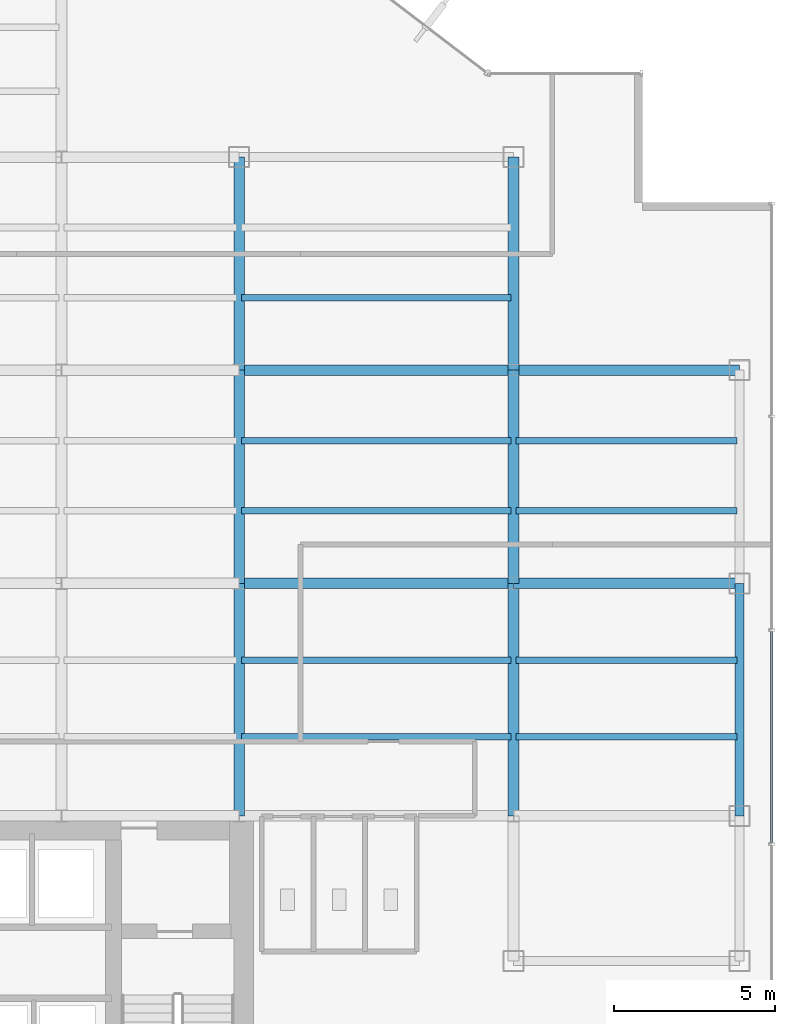
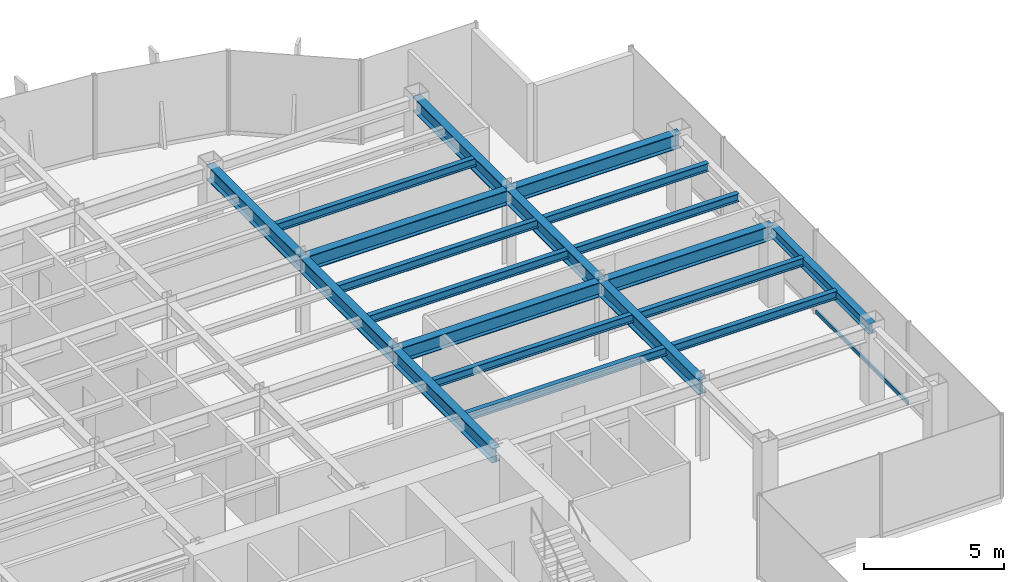
# One storey, part 12 of 25: 20 beams, 1 member, 1 element without a shape of its own.
"""IFC4 building model written with IfcOpenShell, lengths in metres."""

from ifc_helpers import new_model, si_unit, derived_unit, direction, frame, origin, origin_2d, place, context, subcontext, project, spatial, hollow_rectangle, i_section, extrude, source, transform, mapped, material, material_profile, profile_set, type_object, element, aggregate, save


model = new_model("IFC4")

# Units and contexts
model_context = context("Model", 3, precision=1e-05, world=origin(), true_north=direction((0.0, 1.0)))
body_context = subcontext(model_context, "Body", "Model", "MODEL_VIEW")
ifc_project = project(units=[si_unit("LENGTHUNIT", "METRE"), si_unit("AREAUNIT", "SQUARE_METRE"), si_unit("VOLUMEUNIT", "CUBIC_METRE"), si_unit("PLANEANGLEUNIT", "RADIAN"), si_unit("MASSUNIT", "GRAM", prefix="KILO"), derived_unit("THERMALTRANSMITTANCEUNIT", [(si_unit("POWERUNIT", "WATT"), 1), (si_unit("LENGTHUNIT", "METRE"), -2), (si_unit("THERMODYNAMICTEMPERATUREUNIT", "KELVIN"), -1)])], contexts=[model_context])

# Site, building, storey
site_placement = place(None, origin())
site = spatial("IfcSite", under=ifc_project, at=site_placement, CompositionType="ELEMENT")
building_placement = place(site_placement, origin())
building = spatial("IfcBuilding", under=site, at=building_placement, Name="Skarnbrae Concourse Arena and Tower", CompositionType="ELEMENT")
storey_placement = place(building_placement, frame((0.0, 0.0, 177.10009765625)))
storey = spatial("IfcBuildingStorey", under=building, at=storey_placement, Name="L45", CompositionType="ELEMENT", Elevation=177.10009765625)

# Beams
ifc_material_1 = material(Name="Steel CSA G40.21 350W", Category="steel")
ifc_material_profile_1 = material_profile(ifc_material_1, i_section(OverallWidth=0.3291015625, OverallDepth=0.635009765625, WebThickness=0.017822265625, FlangeThickness=0.031005859375, at=origin_2d()), Name="W610X241")
ifc_profile_set_1 = profile_set([ifc_material_profile_1], Name="Steel CSA G40.21 350W")
beam_type_1 = type_object("IfcBeamType", Name="BM-GIRD-W610X241", PredefinedType="BEAM", material=ifc_profile_set_1)
shared_shape_1 = source(origin(), body_context, "Body", "SweptSolid", [
    extrude(i_section(OverallWidth=0.3291015625, OverallDepth=0.635009765625, WebThickness=0.017822265625, FlangeThickness=0.031005859375, at=origin_2d()), origin(), (0.0, 0.0, 1.0), 6.60009765625),
])
for number, where, z_axis, x_axis, name in (
    (1, (33.5, 21.199951171875, 3.08251953125), (0.0, 1.0, 0.0), (-1.0, 0.0, 0.0), "L45 Primary N-S girder X33.5-2"),
    (2, (42.0, 21.199951171875, 3.08251953125), (0.0, 1.0, 0.0), (-1.0, 0.0, 0.0), "L45 Primary N-S girder X42.0-3"),
):
    element("IfcBeam", number, at=place(storey_placement, frame(where, z_axis=z_axis, x_axis=x_axis)), inside=storey, type_object=beam_type_1, Name=name, PredefinedType="BEAM", context=body_context, shape_type="MappedRepresentation", body=[
        mapped(shared_shape_1, transform((0.0, 0.0, 0.0))),
    ])
shared_shape_2 = source(origin(), body_context, "Body", "SweptSolid", [
    extrude(i_section(OverallWidth=0.3291015625, OverallDepth=0.635009765625, WebThickness=0.017822265625, FlangeThickness=0.031005859375, at=origin_2d()), origin(), (0.0, 0.0, 1.0), 8.5),
])
for number, where, z_axis, x_axis, name in (
    (3, (33.5, 21.199951171875, 3.08251953125), (1.0, 0.0, 0.0), (0.0, 1.0, 0.0), "L45 Primary E-W girder Y21.2-6"),
    (4, (33.5, 27.800048828125, 3.08251953125), (1.0, 0.0, 0.0), (0.0, 1.0, 0.0), "L45 Primary E-W girder Y27.8-6"),
):
    element("IfcBeam", number, at=place(storey_placement, frame(where, z_axis=z_axis, x_axis=x_axis)), inside=storey, type_object=beam_type_1, Name=name, PredefinedType="BEAM", context=body_context, shape_type="MappedRepresentation", body=[
        mapped(shared_shape_2, transform((0.0, 0.0, 0.0))),
    ])
shared_shape_3 = source(origin(), body_context, "Body", "SweptSolid", [
    extrude(i_section(OverallWidth=0.3291015625, OverallDepth=0.635009765625, WebThickness=0.017822265625, FlangeThickness=0.031005859375, at=origin_2d()), origin(), (0.0, 0.0, 1.0), 7.0),
])
for number, where, z_axis, x_axis, name in (
    (5, (42.0, 21.199951171875, 3.08251953125), (1.0, 0.0, 0.0), (0.0, 1.0, 0.0), "L45 Primary E-W girder Y21.2-7"),
    (6, (42.0, 27.800048828125, 3.08251953125), (1.0, 0.0, 0.0), (0.0, 1.0, 0.0), "L45 Primary E-W girder Y27.8-7"),
):
    element("IfcBeam", number, at=place(storey_placement, frame(where, z_axis=z_axis, x_axis=x_axis)), inside=storey, type_object=beam_type_1, Name=name, PredefinedType="BEAM", context=body_context, shape_type="MappedRepresentation", body=[
        mapped(shared_shape_3, transform((0.0, 0.0, 0.0))),
    ])
ifc_material_profile_2 = material_profile(ifc_material_1, i_section(OverallWidth=0.280029296875, OverallDepth=0.462890625, WebThickness=0.0107421875, FlangeThickness=0.017333984375, at=origin_2d()), Name="W460X113")
ifc_profile_set_2 = profile_set([ifc_material_profile_2], Name="Steel CSA G40.21 350W")
beam_type_2 = type_object("IfcBeamType", Name="BM-SPAN-W460X113", PredefinedType="SPANDREL", material=ifc_profile_set_2)
shared_shape_4 = source(origin(), body_context, "Body", "SweptSolid", [
    extrude(i_section(OverallWidth=0.280029296875, OverallDepth=0.462890625, WebThickness=0.0107421875, FlangeThickness=0.017333984375, at=origin_2d()), origin(), (0.0, 0.0, 1.0), 7.199951171875),
])
beam_placement = place(storey_placement, frame((49.0, 14.0, 3.16845703125), z_axis=(0.0, 1.0, 0.0), x_axis=(-1.0, 0.0, 0.0)))
element("IfcBeam", 7, at=beam_placement, inside=storey, type_object=beam_type_2, Name="L45 Perimeter spandrel X49.0-2", PredefinedType="SPANDREL", context=body_context, shape_type="MappedRepresentation", body=[
    mapped(shared_shape_4, transform((0.0, 0.0, 0.0))),
])
shared_shape_5 = source(origin(), body_context, "Body", "SweptSolid", [
    extrude(i_section(OverallWidth=0.3291015625, OverallDepth=0.635009765625, WebThickness=0.017822265625, FlangeThickness=0.031005859375, at=origin_2d()), origin(), (0.0, 0.0, 1.0), 7.199951171875),
])
for number, where, z_axis, x_axis, name in (
    (8, (33.5, 14.0, 3.08251953125), (0.0, 1.0, 0.0), (-1.0, 0.0, 0.0), "L45 Primary N-S girder X33.5-1"),
    (9, (42.0, 14.0, 3.08251953125), (0.0, 1.0, 0.0), (-1.0, 0.0, 0.0), "L45 Primary N-S girder X42.0-2"),
):
    element("IfcBeam", number, at=place(storey_placement, frame(where, z_axis=z_axis, x_axis=x_axis)), inside=storey, type_object=beam_type_1, Name=name, PredefinedType="BEAM", context=body_context, shape_type="MappedRepresentation", body=[
        mapped(shared_shape_5, transform((0.0, 0.0, 0.0))),
    ])
shared_shape_6 = source(origin(), body_context, "Body", "SweptSolid", [
    extrude(i_section(OverallWidth=0.3291015625, OverallDepth=0.635009765625, WebThickness=0.017822265625, FlangeThickness=0.031005859375, at=origin_2d()), origin(), (0.0, 0.0, 1.0), 6.599853515625),
])
for number, where, z_axis, x_axis, name in (
    (10, (33.5, 27.800048828125, 3.08251953125), (0.0, 1.0, 0.0), (-1.0, 0.0, 0.0), "L45 Primary N-S girder X33.5-3"),
    (11, (42.0, 27.800048828125, 3.08251953125), (0.0, 1.0, 0.0), (-1.0, 0.0, 0.0), "L45 Primary N-S girder X42.0-4"),
):
    element("IfcBeam", number, at=place(storey_placement, frame(where, z_axis=z_axis, x_axis=x_axis)), inside=storey, type_object=beam_type_1, Name=name, PredefinedType="BEAM", context=body_context, shape_type="MappedRepresentation", body=[
        mapped(shared_shape_6, transform((0.0, 0.0, 0.0))),
    ])
ifc_material_profile_3 = material_profile(ifc_material_1, i_section(OverallWidth=0.205078125, OverallDepth=0.35400390625, WebThickness=0.009521484375, FlangeThickness=0.016845703125, at=origin_2d()), Name="W360X79")
ifc_profile_set_3 = profile_set([ifc_material_profile_3], Name="Steel CSA G40.21 350W")
beam_type_3 = type_object("IfcBeamType", Name="BM-JOIST-W360X79", PredefinedType="JOIST", material=ifc_profile_set_3)
shared_shape_7 = source(origin(), body_context, "Body", "SweptSolid", [
    extrude(i_section(OverallWidth=0.205078125, OverallDepth=0.35400390625, WebThickness=0.009521484375, FlangeThickness=0.016845703125, at=origin_2d()), origin(), (0.0, 0.0, 1.0), 8.33984375),
])
for number, where, z_axis, x_axis, name in (
    (12, (33.580078125, 16.447998046875, 3.222900390625), (1.0, 0.0, 0.0), (0.0, 1.0, 0.0), "L45 Secondary floor joist 1.1.6"),
    (13, (33.580078125, 18.823974609375, 3.222900390625), (1.0, 0.0, 0.0), (0.0, 1.0, 0.0), "L45 Secondary floor joist 1.2.6"),
    (14, (33.580078125, 23.444091796875, 3.222900390625), (1.0, 0.0, 0.0), (0.0, 1.0, 0.0), "L45 Secondary floor joist 2.1.6"),
    (15, (33.580078125, 25.6220703125, 3.222900390625), (1.0, 0.0, 0.0), (0.0, 1.0, 0.0), "L45 Secondary floor joist 2.2.6"),
    (16, (33.580078125, 30.0439453125, 3.222900390625), (1.0, 0.0, 0.0), (0.0, 1.0, 0.0), "L45 Secondary floor joist 3.1.5"),
):
    element("IfcBeam", number, at=place(storey_placement, frame(where, z_axis=z_axis, x_axis=x_axis)), inside=storey, type_object=beam_type_3, Name=name, PredefinedType="JOIST", context=body_context, shape_type="MappedRepresentation", body=[
        mapped(shared_shape_7, transform((0.0, 0.0, 0.0))),
    ])
shared_shape_8 = source(origin(), body_context, "Body", "SweptSolid", [
    extrude(i_section(OverallWidth=0.205078125, OverallDepth=0.35400390625, WebThickness=0.009521484375, FlangeThickness=0.016845703125, at=origin_2d()), origin(), (0.0, 0.0, 1.0), 6.83984375),
])
for number, where, z_axis, x_axis, name in (
    (17, (42.080078125, 16.447998046875, 3.222900390625), (1.0, 0.0, 0.0), (0.0, 1.0, 0.0), "L45 Secondary floor joist 1.1.7"),
    (18, (42.080078125, 18.823974609375, 3.222900390625), (1.0, 0.0, 0.0), (0.0, 1.0, 0.0), "L45 Secondary floor joist 1.2.7"),
    (19, (42.080078125, 23.444091796875, 3.222900390625), (1.0, 0.0, 0.0), (0.0, 1.0, 0.0), "L45 Secondary floor joist 2.1.7"),
    (20, (42.080078125, 25.6220703125, 3.222900390625), (1.0, 0.0, 0.0), (0.0, 1.0, 0.0), "L45 Secondary floor joist 2.2.7"),
):
    element("IfcBeam", number, at=place(storey_placement, frame(where, z_axis=z_axis, x_axis=x_axis)), inside=storey, type_object=beam_type_3, Name=name, PredefinedType="JOIST", context=body_context, shape_type="MappedRepresentation", body=[
        mapped(shared_shape_8, transform((0.0, 0.0, 0.0))),
    ])

# Curtain wall, member
ifc_material_2 = material(Name="Bronze anodised aluminium 6063-T6", Category="aluminium")
curtain_wall_type = type_object("IfcCurtainWallType", Name="CW-SYS-04-MIDZONE", PredefinedType="USERDEFINED", material=ifc_material_2)
curtain_wall_placement = place(storey_placement, origin())
curtain_wall = element("IfcCurtainWall", 21, at=curtain_wall_placement, inside=storey, type_object=curtain_wall_type, Name="L45 Unitised curtain wall CW-L45-E04", ObjectType="UNITISED CURTAIN WALL", PredefinedType="USERDEFINED")
ifc_material_profile_4 = material_profile(ifc_material_2, hollow_rectangle(XDim=0.074951171875, YDim=0.159912109375, WallThickness=0.00439453125, at=origin_2d()), Name="ALU-TRAN-75X160")
ifc_profile_set_4 = profile_set([ifc_material_profile_4], Name="Bronze anodised aluminium 6063-T6")
member_type = type_object("IfcMemberType", Name="CWT-CW-04", PredefinedType="USERDEFINED", material=ifc_profile_set_4)
shared_shape_9 = source(origin(), body_context, "Body", "SweptSolid", [
    extrude(hollow_rectangle(XDim=0.074951171875, YDim=0.159912109375, WallThickness=0.00439453125, at=origin_2d()), origin(), (0.0, 0.0, 1.0), 6.5498046875),
])
member_placement = place(storey_placement, frame((50.0, 13.16259765625, 0.079833984375), z_axis=(0.0, 1.0, 0.0), x_axis=(-1.0, 0.0, 0.0)))
member = element("IfcMember", 22, at=member_placement, type_object=member_type, Name="CW-L45-E04 Transom 2", ObjectType="TRANSOM", PredefinedType="USERDEFINED", context=body_context, shape_type="MappedRepresentation", body=[
    mapped(shared_shape_9, transform((0.0, 0.0, 0.0))),
])
aggregate(curtain_wall, [member])

save(model, "model.ifc")
